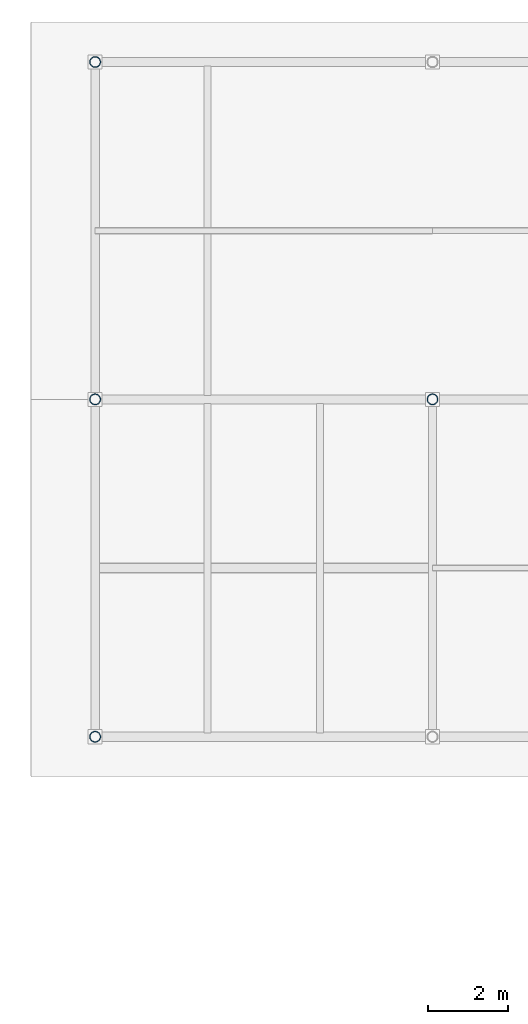
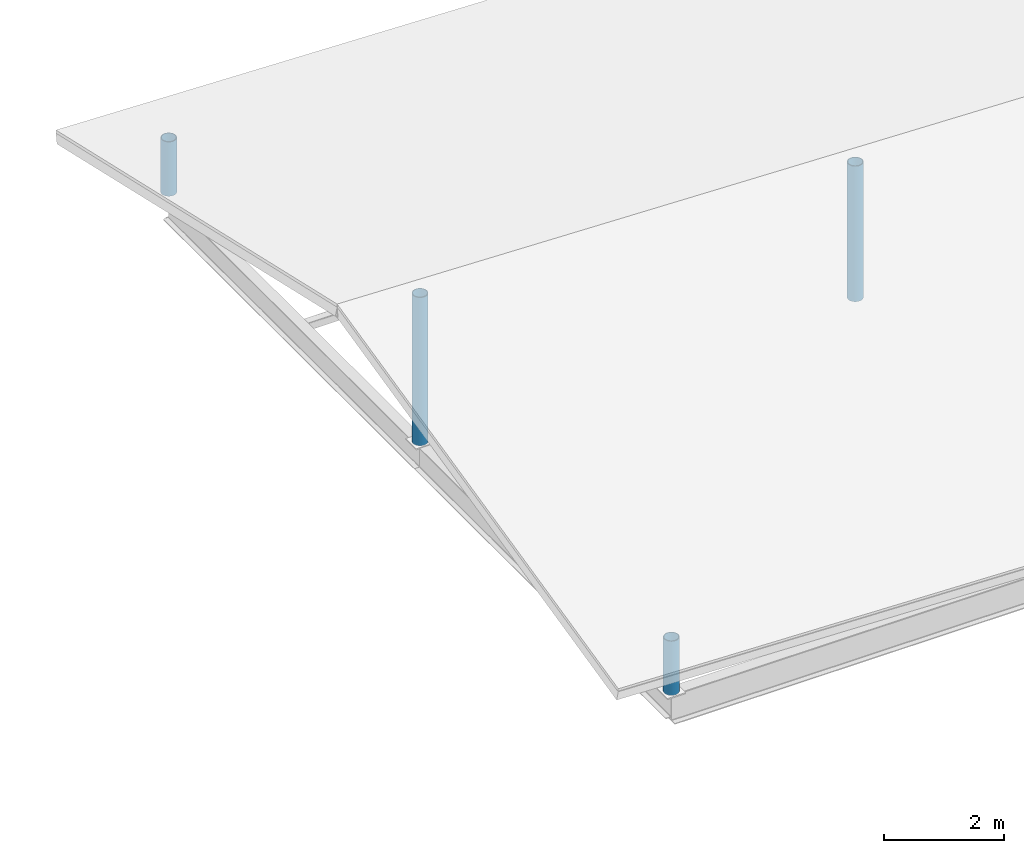
# One storey, part 3 of 65: 4 columns.
"""IFC4 building model written with IfcOpenShell, lengths in metres."""

from ifc_helpers import new_model, si_unit, direction, frame, origin, origin_2d, place, context, subcontext, project, spatial, hollow_circle, extrude, material, material_profile, profile_set, type_object, element, save


model = new_model("IFC4")

# Units and contexts
model_context = context("Model", 3, precision=1e-05, world=origin(), true_north=direction((0.0, 1.0)))
body_context = subcontext(model_context, "Body", "Model", "MODEL_VIEW")
ifc_project = project(units=[si_unit("LENGTHUNIT", "METRE"), si_unit("AREAUNIT", "SQUARE_METRE"), si_unit("VOLUMEUNIT", "CUBIC_METRE"), si_unit("PLANEANGLEUNIT", "RADIAN"), si_unit("MASSUNIT", "GRAM", prefix="KILO")], contexts=[model_context])

# Site, building, storey
site_placement = place(None, origin())
site = spatial("IfcSite", under=ifc_project, at=site_placement, CompositionType="ELEMENT")
building_placement = place(site_placement, origin())
building = spatial("IfcBuilding", under=site, at=building_placement, Name="Cinderway Yard Community Centre", CompositionType="ELEMENT")
storey_placement = place(building_placement, frame((0.0, 0.0, 24.300048828125)))
storey = spatial("IfcBuildingStorey", under=building, at=storey_placement, Name="RF", CompositionType="ELEMENT", Elevation=24.300048828125)

# Columns
ifc_material = material(Name="Steel S355", Category="steel")
ifc_material_profile = material_profile(ifc_material, hollow_circle(Radius=0.136474609375, WallThickness=0.012451171875, at=origin_2d()), Name="Steel S355")
ifc_profile_set = profile_set([ifc_material_profile], Name="Steel S355")
column_type = type_object("IfcColumnType", Name="STR-POST-CHS273", PredefinedType="PILASTER", material=ifc_profile_set)
column_1_placement = place(storey_placement, frame((58.39990234375, 98.39990234375, 0.0), z_axis=(0.0, 0.0, 1.0), x_axis=(1.0, 0.0, 0.0)))
element("IfcColumn", 1, at=column_1_placement, inside=storey, type_object=column_type, Name="V4 scissored roof post 58_98", PredefinedType="PILASTER", context=body_context, shape_type="SweptSolid", body=[
    extrude(hollow_circle(Radius=0.136474609375, WallThickness=0.012451171875, at=origin_2d()), origin(), (0.0, 0.0, 1.0), 1.10888671875),
])
column_2_placement = place(storey_placement, frame((58.39990234375, 106.800048828125, 0.0), z_axis=(0.0, 0.0, 1.0), x_axis=(1.0, 0.0, 0.0)))
element("IfcColumn", 2, at=column_2_placement, inside=storey, type_object=column_type, Name="V4 scissored roof post 58_106", PredefinedType="PILASTER", context=body_context, shape_type="SweptSolid", body=[
    extrude(hollow_circle(Radius=0.136474609375, WallThickness=0.012451171875, at=origin_2d()), origin(), (0.0, 0.0, 1.0), 3.030029296875),
])
column_3_placement = place(storey_placement, frame((58.39990234375, 115.199951171875, 0.0), z_axis=(0.0, 0.0, 1.0), x_axis=(1.0, 0.0, 0.0)))
element("IfcColumn", 3, at=column_3_placement, inside=storey, type_object=column_type, Name="V4 scissored roof post 58_115", PredefinedType="PILASTER", context=body_context, shape_type="SweptSolid", body=[
    extrude(hollow_circle(Radius=0.136474609375, WallThickness=0.012451171875, at=origin_2d()), origin(), (0.0, 0.0, 1.0), 1.10888671875),
])
column_4_placement = place(storey_placement, frame((66.800048828125, 106.800048828125, 0.0), z_axis=(0.0, 0.0, 1.0), x_axis=(1.0, 0.0, 0.0)))
element("IfcColumn", 4, at=column_4_placement, inside=storey, type_object=column_type, Name="V4 scissored roof post 66_106", PredefinedType="PILASTER", context=body_context, shape_type="SweptSolid", body=[
    extrude(hollow_circle(Radius=0.136474609375, WallThickness=0.012451171875, at=origin_2d()), origin(), (0.0, 0.0, 1.0), 2.766845703125),
])

save(model, "model.ifc")
